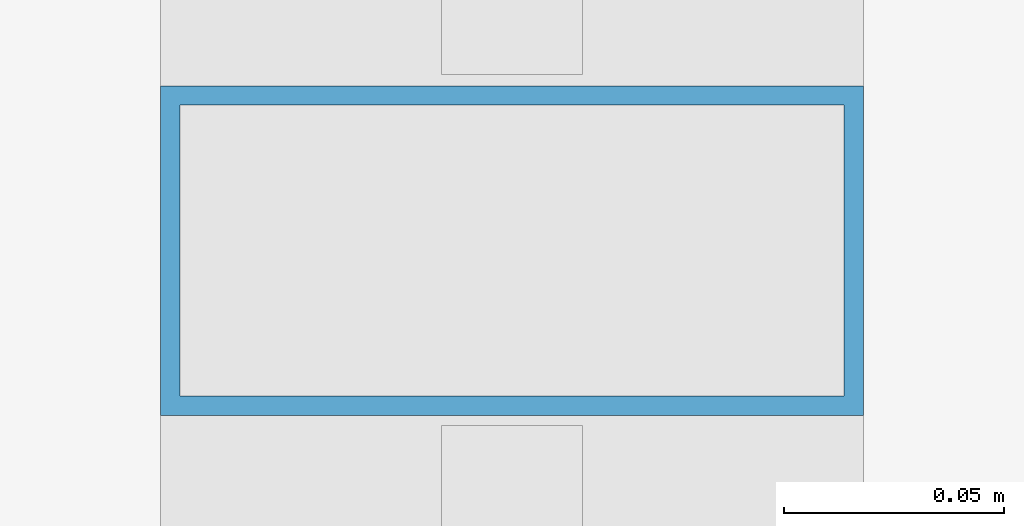
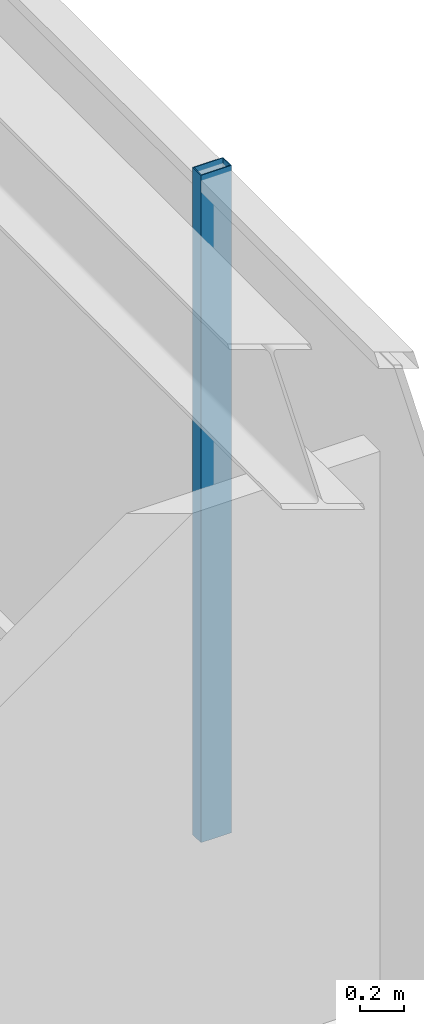
# One storey, part 28 of 39: 1 member, 1 element without a shape of its own.
"""IFC4 building model written with IfcOpenShell, lengths in metres."""

from ifc_helpers import new_model, si_unit, direction, frame, origin, origin_2d, place, context, subcontext, project, spatial, hollow_rectangle, extrude, material, material_profile, profile_set, type_object, element, aggregate, save


model = new_model("IFC4")

# Units and contexts
model_context = context("Model", 3, precision=1e-05, world=origin(), true_north=direction((0.0, 1.0)))
body_context = subcontext(model_context, "Body", "Model", "MODEL_VIEW")
ifc_project = project(units=[si_unit("LENGTHUNIT", "METRE"), si_unit("AREAUNIT", "SQUARE_METRE"), si_unit("VOLUMEUNIT", "CUBIC_METRE"), si_unit("PLANEANGLEUNIT", "RADIAN"), si_unit("MASSUNIT", "GRAM", prefix="KILO")], contexts=[model_context])

# Site, building, storey
site_placement = place(None, origin())
site = spatial("IfcSite", under=ifc_project, at=site_placement, CompositionType="ELEMENT")
building_placement = place(site_placement, origin())
building = spatial("IfcBuilding", under=site, at=building_placement, Name="Kolvaren Belvedere", CompositionType="ELEMENT")
storey_placement = place(building_placement, frame((0.0, 0.0, 15.199951171875)))
storey = spatial("IfcBuildingStorey", under=building, at=storey_placement, Name="L04", CompositionType="ELEMENT", Elevation=15.199951171875)

# Curtain wall, member
ifc_material_1 = material(Name="Anodised pale-metal aluminium AA 6063-T6", Category="aluminium")
curtain_wall_type = type_object("IfcCurtainWallType", Name="CW-POD-A", PredefinedType="NOTDEFINED", material=ifc_material_1)
curtain_wall_placement = place(storey_placement, origin())
curtain_wall = element("IfcCurtainWall", 1, at=curtain_wall_placement, inside=storey, type_object=curtain_wall_type, Name="L04 Unitised Curtain Wall FCW-L04-E", PredefinedType="NOTDEFINED")
ifc_material_2 = material(Name="Anodised pale-metal aluminium AA 6063-T6", Category="aluminium")
ifc_material_profile = material_profile(ifc_material_2, hollow_rectangle(XDim=0.074951171875, YDim=0.159912109375, WallThickness=0.00439453125, at=origin_2d()), Name="ALU-MUL-160X75")
ifc_profile_set = profile_set([ifc_material_profile], Name="Anodised pale-metal aluminium AA 6063-T6")
member_type = type_object("IfcMemberType", Name="CW-MUL-160", PredefinedType="MULLION", material=ifc_profile_set)
member_placement = place(storey_placement, frame((27.8798828125, 14.199951171875, 0.0), z_axis=(0.0, 0.0, 1.0), x_axis=(0.0, 1.0, 0.0)))
member = element("IfcMember", 2, at=member_placement, type_object=member_type, Name="FCW-L04-E Unitised Mullion 2", PredefinedType="MULLION", context=body_context, shape_type="SweptSolid", body=[
    extrude(hollow_rectangle(XDim=0.074951171875, YDim=0.159912109375, WallThickness=0.00439453125, at=origin_2d()), origin(), (0.0, 0.0, 1.0), 3.699951171875),
])
aggregate(curtain_wall, [member])

save(model, "model.ifc")
